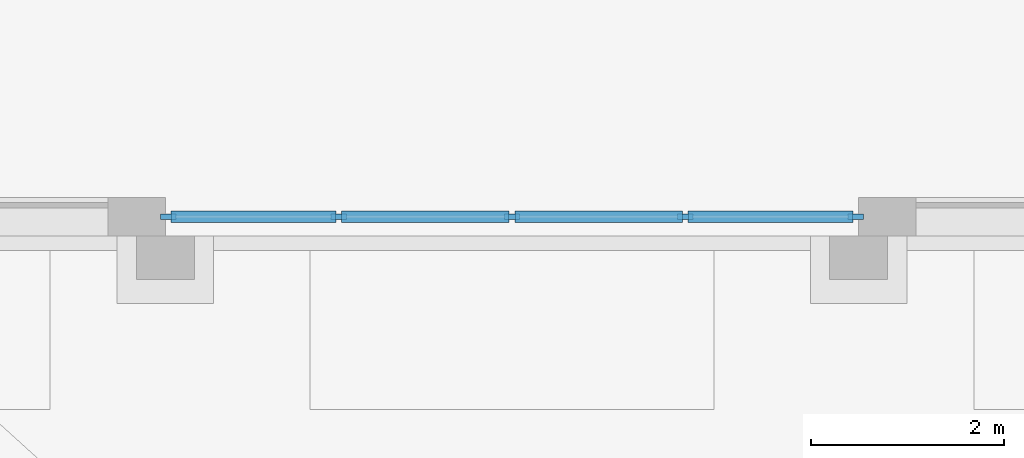
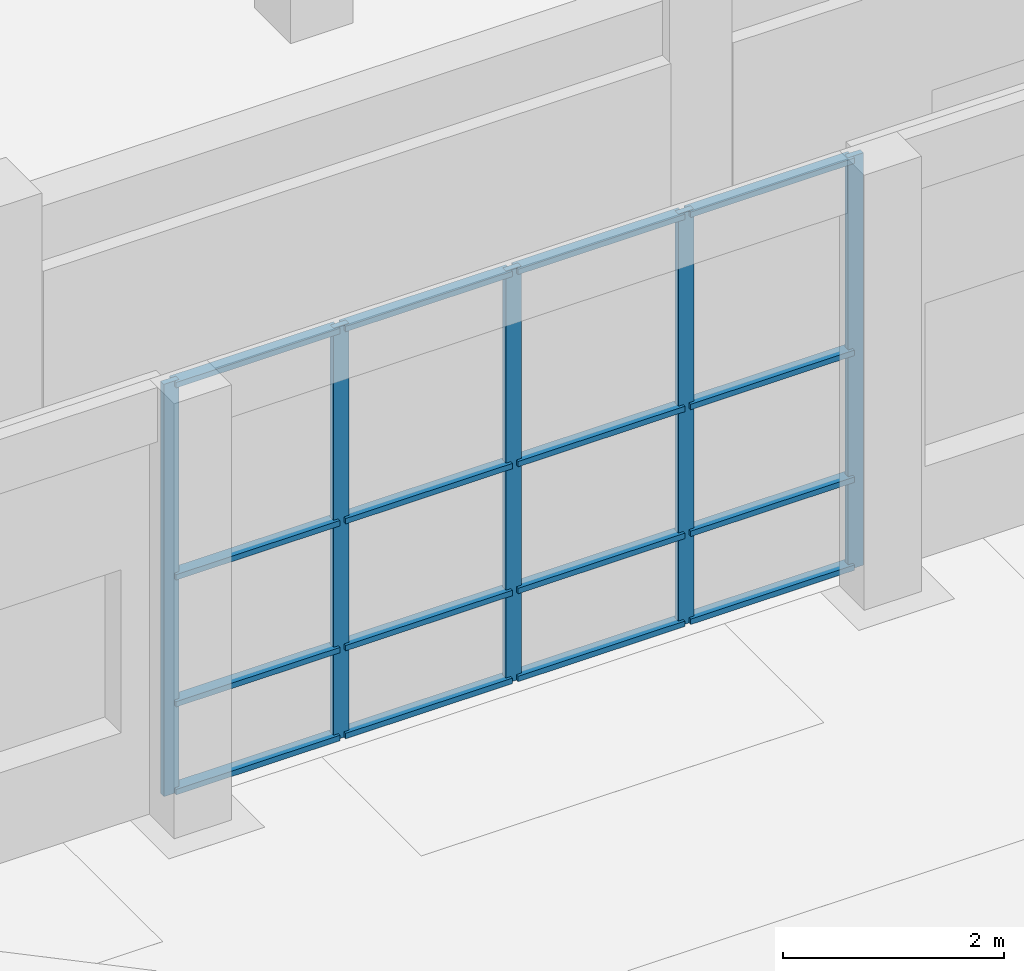
# One storey, part 54 of 131: 21 members, 1 element without a shape of its own.
"""IFC4 building model written with IfcOpenShell, lengths in metres."""

from ifc_helpers import new_model, si_unit, direction, frame, origin, origin_2d, place, context, subcontext, project, spatial, rectangle, extrude, material, material_profile, profile_set, type_object, element, aggregate, save


model = new_model("IFC4")

# Units and contexts
model_context = context("Model", 3, precision=1e-05, world=origin(), true_north=direction((0.0, 1.0)))
body_context = subcontext(model_context, "Body", "Model", "MODEL_VIEW")
ifc_project = project(units=[si_unit("LENGTHUNIT", "METRE"), si_unit("AREAUNIT", "SQUARE_METRE"), si_unit("VOLUMEUNIT", "CUBIC_METRE"), si_unit("PLANEANGLEUNIT", "RADIAN"), si_unit("MASSUNIT", "GRAM", prefix="KILO")], contexts=[model_context])

# Site, building, storey
site_placement = place(None, origin())
site = spatial("IfcSite", under=ifc_project, at=site_placement, CompositionType="ELEMENT")
building_placement = place(site_placement, origin())
building = spatial("IfcBuilding", under=site, at=building_placement, Name="Alderwick Market Hall", CompositionType="ELEMENT")
storey_placement = place(building_placement, frame((0.0, 0.0, 4.800048828125)))
storey = spatial("IfcBuildingStorey", under=building, at=storey_placement, Name="L00", CompositionType="ELEMENT", Elevation=4.800048828125)

# Curtain wall, members
ifc_material_1 = material(Name="F Curtain Wall 1800 module")
curtain_wall_type = type_object("IfcCurtainWallType", Name="F Curtain Wall 1800 module", PredefinedType="NOTDEFINED", material=ifc_material_1)
curtain_wall_placement = place(storey_placement, origin())
curtain_wall = element("IfcCurtainWall", 1, at=curtain_wall_placement, inside=storey, type_object=curtain_wall_type, Name="F.pcw.L00.1", PredefinedType="NOTDEFINED")
ifc_material_2 = material(Name="Aluminium alloy 6063-T6", Category="aluminium")
ifc_material_profile_1 = material_profile(ifc_material_2, rectangle(XDim=0.06005859375, YDim=0.159912109375, at=origin_2d()), Name="AL 60x160")
ifc_profile_set_1 = profile_set([ifc_material_profile_1], Name="Aluminium alloy 6063-T6")
member_type_1 = type_object("IfcMemberType", Name="F Curtain Wall Mullion 60x160", PredefinedType="MULLION", material=ifc_profile_set_1)
member_1_placement = place(storey_placement, frame((201.570068359375, 126.800048828125, 0.0), z_axis=(0.0, 0.0, 1.0), x_axis=(0.0, -1.0, 0.0)))
member_1 = element("IfcMember", 2, at=member_1_placement, type_object=member_type_1, Name="F-CW mullion 1", PredefinedType="MULLION", context=body_context, shape_type="SweptSolid", body=[
    extrude(rectangle(XDim=0.06005859375, YDim=0.159912109375, at=origin_2d()), origin(), (0.0, 0.0, 1.0), 4.550048828125),
])
member_2_placement = place(storey_placement, frame((199.800048828125, 126.800048828125, 0.0), z_axis=(0.0, 0.0, 1.0), x_axis=(0.0, -1.0, 0.0)))
member_2 = element("IfcMember", 3, at=member_2_placement, type_object=member_type_1, Name="F-CW mullion 2", PredefinedType="MULLION", context=body_context, shape_type="SweptSolid", body=[
    extrude(rectangle(XDim=0.06005859375, YDim=0.159912109375, at=origin_2d()), origin(), (0.0, 0.0, 1.0), 4.550048828125),
])
member_3_placement = place(storey_placement, frame((198.0, 126.800048828125, 0.0), z_axis=(0.0, 0.0, 1.0), x_axis=(0.0, -1.0, 0.0)))
member_3 = element("IfcMember", 4, at=member_3_placement, type_object=member_type_1, Name="F-CW mullion 3", PredefinedType="MULLION", context=body_context, shape_type="SweptSolid", body=[
    extrude(rectangle(XDim=0.06005859375, YDim=0.159912109375, at=origin_2d()), origin(), (0.0, 0.0, 1.0), 4.550048828125),
])
member_4_placement = place(storey_placement, frame((196.199951171875, 126.800048828125, 0.0), z_axis=(0.0, 0.0, 1.0), x_axis=(0.0, -1.0, 0.0)))
member_4 = element("IfcMember", 5, at=member_4_placement, type_object=member_type_1, Name="F-CW mullion 4", PredefinedType="MULLION", context=body_context, shape_type="SweptSolid", body=[
    extrude(rectangle(XDim=0.06005859375, YDim=0.159912109375, at=origin_2d()), origin(), (0.0, 0.0, 1.0), 4.550048828125),
])
member_5_placement = place(storey_placement, frame((194.429931640625, 126.800048828125, 0.0), z_axis=(0.0, 0.0, 1.0), x_axis=(0.0, -1.0, 0.0)))
member_5 = element("IfcMember", 6, at=member_5_placement, type_object=member_type_1, Name="F-CW mullion 5", PredefinedType="MULLION", context=body_context, shape_type="SweptSolid", body=[
    extrude(rectangle(XDim=0.06005859375, YDim=0.159912109375, at=origin_2d()), origin(), (0.0, 0.0, 1.0), 4.550048828125),
])
ifc_material_profile_2 = material_profile(ifc_material_2, rectangle(XDim=0.1201171875, YDim=0.06005859375, at=origin_2d()), Name="AL 60x120")
ifc_profile_set_2 = profile_set([ifc_material_profile_2], Name="Aluminium alloy 6063-T6")
member_type_2 = type_object("IfcMemberType", Name="F Curtain Wall Transom 60x120", PredefinedType="USERDEFINED", material=ifc_profile_set_2)
member_6_placement = place(storey_placement, frame((201.5400390625, 126.800048828125, 0.030029296875), z_axis=(-1.0, 0.0, 0.0), x_axis=(0.0, -1.0, 0.0)))
member_6 = element("IfcMember", 7, at=member_6_placement, type_object=member_type_2, Name="F-CW transom 1.1", ObjectType="TRANSOM", PredefinedType="USERDEFINED", context=body_context, shape_type="SweptSolid", body=[
    extrude(rectangle(XDim=0.1201171875, YDim=0.06005859375, at=origin_2d()), origin(), (0.0, 0.0, 1.0), 1.7099609375),
])
member_7_placement = place(storey_placement, frame((201.5400390625, 126.800048828125, 1.0), z_axis=(-1.0, 0.0, 0.0), x_axis=(0.0, -1.0, 0.0)))
member_7 = element("IfcMember", 8, at=member_7_placement, type_object=member_type_2, Name="F-CW transom 1.2", ObjectType="TRANSOM", PredefinedType="USERDEFINED", context=body_context, shape_type="SweptSolid", body=[
    extrude(rectangle(XDim=0.1201171875, YDim=0.06005859375, at=origin_2d()), origin(), (0.0, 0.0, 1.0), 1.7099609375),
])
member_8_placement = place(storey_placement, frame((201.5400390625, 126.800048828125, 2.39990234375), z_axis=(-1.0, 0.0, 0.0), x_axis=(0.0, -1.0, 0.0)))
member_8 = element("IfcMember", 9, at=member_8_placement, type_object=member_type_2, Name="F-CW transom 1.3", ObjectType="TRANSOM", PredefinedType="USERDEFINED", context=body_context, shape_type="SweptSolid", body=[
    extrude(rectangle(XDim=0.1201171875, YDim=0.06005859375, at=origin_2d()), origin(), (0.0, 0.0, 1.0), 1.7099609375),
])
member_9_placement = place(storey_placement, frame((201.5400390625, 126.800048828125, 4.52001953125), z_axis=(-1.0, 0.0, 0.0), x_axis=(0.0, -1.0, 0.0)))
member_9 = element("IfcMember", 10, at=member_9_placement, type_object=member_type_2, Name="F-CW transom 1.4", ObjectType="TRANSOM", PredefinedType="USERDEFINED", context=body_context, shape_type="SweptSolid", body=[
    extrude(rectangle(XDim=0.1201171875, YDim=0.06005859375, at=origin_2d()), origin(), (0.0, 0.0, 1.0), 1.7099609375),
])
member_10_placement = place(storey_placement, frame((199.77001953125, 126.800048828125, 0.030029296875), z_axis=(-1.0, 0.0, 0.0), x_axis=(0.0, -1.0, 0.0)))
member_10 = element("IfcMember", 11, at=member_10_placement, type_object=member_type_2, Name="F-CW transom 2.1", ObjectType="TRANSOM", PredefinedType="USERDEFINED", context=body_context, shape_type="SweptSolid", body=[
    extrude(rectangle(XDim=0.1201171875, YDim=0.06005859375, at=origin_2d()), origin(), (0.0, 0.0, 1.0), 1.739990234375),
])
member_11_placement = place(storey_placement, frame((199.77001953125, 126.800048828125, 1.0), z_axis=(-1.0, 0.0, 0.0), x_axis=(0.0, -1.0, 0.0)))
member_11 = element("IfcMember", 12, at=member_11_placement, type_object=member_type_2, Name="F-CW transom 2.2", ObjectType="TRANSOM", PredefinedType="USERDEFINED", context=body_context, shape_type="SweptSolid", body=[
    extrude(rectangle(XDim=0.1201171875, YDim=0.06005859375, at=origin_2d()), origin(), (0.0, 0.0, 1.0), 1.739990234375),
])
member_12_placement = place(storey_placement, frame((199.77001953125, 126.800048828125, 2.39990234375), z_axis=(-1.0, 0.0, 0.0), x_axis=(0.0, -1.0, 0.0)))
member_12 = element("IfcMember", 13, at=member_12_placement, type_object=member_type_2, Name="F-CW transom 2.3", ObjectType="TRANSOM", PredefinedType="USERDEFINED", context=body_context, shape_type="SweptSolid", body=[
    extrude(rectangle(XDim=0.1201171875, YDim=0.06005859375, at=origin_2d()), origin(), (0.0, 0.0, 1.0), 1.739990234375),
])
member_13_placement = place(storey_placement, frame((199.77001953125, 126.800048828125, 4.52001953125), z_axis=(-1.0, 0.0, 0.0), x_axis=(0.0, -1.0, 0.0)))
member_13 = element("IfcMember", 14, at=member_13_placement, type_object=member_type_2, Name="F-CW transom 2.4", ObjectType="TRANSOM", PredefinedType="USERDEFINED", context=body_context, shape_type="SweptSolid", body=[
    extrude(rectangle(XDim=0.1201171875, YDim=0.06005859375, at=origin_2d()), origin(), (0.0, 0.0, 1.0), 1.739990234375),
])
member_14_placement = place(storey_placement, frame((197.969970703125, 126.800048828125, 0.030029296875), z_axis=(-1.0, 0.0, 0.0), x_axis=(0.0, -1.0, 0.0)))
member_14 = element("IfcMember", 15, at=member_14_placement, type_object=member_type_2, Name="F-CW transom 3.1", ObjectType="TRANSOM", PredefinedType="USERDEFINED", context=body_context, shape_type="SweptSolid", body=[
    extrude(rectangle(XDim=0.1201171875, YDim=0.06005859375, at=origin_2d()), origin(), (0.0, 0.0, 1.0), 1.739990234375),
])
member_15_placement = place(storey_placement, frame((197.969970703125, 126.800048828125, 1.0), z_axis=(-1.0, 0.0, 0.0), x_axis=(0.0, -1.0, 0.0)))
member_15 = element("IfcMember", 16, at=member_15_placement, type_object=member_type_2, Name="F-CW transom 3.2", ObjectType="TRANSOM", PredefinedType="USERDEFINED", context=body_context, shape_type="SweptSolid", body=[
    extrude(rectangle(XDim=0.1201171875, YDim=0.06005859375, at=origin_2d()), origin(), (0.0, 0.0, 1.0), 1.739990234375),
])
member_16_placement = place(storey_placement, frame((197.969970703125, 126.800048828125, 2.39990234375), z_axis=(-1.0, 0.0, 0.0), x_axis=(0.0, -1.0, 0.0)))
member_16 = element("IfcMember", 17, at=member_16_placement, type_object=member_type_2, Name="F-CW transom 3.3", ObjectType="TRANSOM", PredefinedType="USERDEFINED", context=body_context, shape_type="SweptSolid", body=[
    extrude(rectangle(XDim=0.1201171875, YDim=0.06005859375, at=origin_2d()), origin(), (0.0, 0.0, 1.0), 1.739990234375),
])
member_17_placement = place(storey_placement, frame((197.969970703125, 126.800048828125, 4.52001953125), z_axis=(-1.0, 0.0, 0.0), x_axis=(0.0, -1.0, 0.0)))
member_17 = element("IfcMember", 18, at=member_17_placement, type_object=member_type_2, Name="F-CW transom 3.4", ObjectType="TRANSOM", PredefinedType="USERDEFINED", context=body_context, shape_type="SweptSolid", body=[
    extrude(rectangle(XDim=0.1201171875, YDim=0.06005859375, at=origin_2d()), origin(), (0.0, 0.0, 1.0), 1.739990234375),
])
member_18_placement = place(storey_placement, frame((196.169921875, 126.800048828125, 0.030029296875), z_axis=(-1.0, 0.0, 0.0), x_axis=(0.0, -1.0, 0.0)))
member_18 = element("IfcMember", 19, at=member_18_placement, type_object=member_type_2, Name="F-CW transom 4.1", ObjectType="TRANSOM", PredefinedType="USERDEFINED", context=body_context, shape_type="SweptSolid", body=[
    extrude(rectangle(XDim=0.1201171875, YDim=0.06005859375, at=origin_2d()), origin(), (0.0, 0.0, 1.0), 1.7099609375),
])
member_19_placement = place(storey_placement, frame((196.169921875, 126.800048828125, 1.0), z_axis=(-1.0, 0.0, 0.0), x_axis=(0.0, -1.0, 0.0)))
member_19 = element("IfcMember", 20, at=member_19_placement, type_object=member_type_2, Name="F-CW transom 4.2", ObjectType="TRANSOM", PredefinedType="USERDEFINED", context=body_context, shape_type="SweptSolid", body=[
    extrude(rectangle(XDim=0.1201171875, YDim=0.06005859375, at=origin_2d()), origin(), (0.0, 0.0, 1.0), 1.7099609375),
])
member_20_placement = place(storey_placement, frame((196.169921875, 126.800048828125, 2.39990234375), z_axis=(-1.0, 0.0, 0.0), x_axis=(0.0, -1.0, 0.0)))
member_20 = element("IfcMember", 21, at=member_20_placement, type_object=member_type_2, Name="F-CW transom 4.3", ObjectType="TRANSOM", PredefinedType="USERDEFINED", context=body_context, shape_type="SweptSolid", body=[
    extrude(rectangle(XDim=0.1201171875, YDim=0.06005859375, at=origin_2d()), origin(), (0.0, 0.0, 1.0), 1.7099609375),
])
member_21_placement = place(storey_placement, frame((196.169921875, 126.800048828125, 4.52001953125), z_axis=(-1.0, 0.0, 0.0), x_axis=(0.0, -1.0, 0.0)))
member_21 = element("IfcMember", 22, at=member_21_placement, type_object=member_type_2, Name="F-CW transom 4.4", ObjectType="TRANSOM", PredefinedType="USERDEFINED", context=body_context, shape_type="SweptSolid", body=[
    extrude(rectangle(XDim=0.1201171875, YDim=0.06005859375, at=origin_2d()), origin(), (0.0, 0.0, 1.0), 1.7099609375),
])
aggregate(curtain_wall, [member_1, member_2, member_3, member_4, member_5, member_6, member_7, member_8, member_9, member_10, member_11, member_12, member_13, member_14, member_15, member_16, member_17, member_18, member_19, member_20, member_21])

save(model, "model.ifc")
